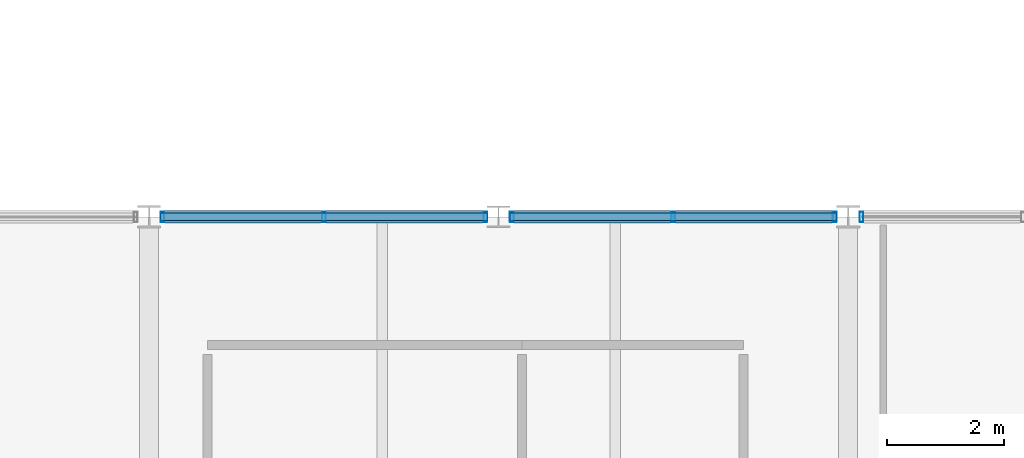
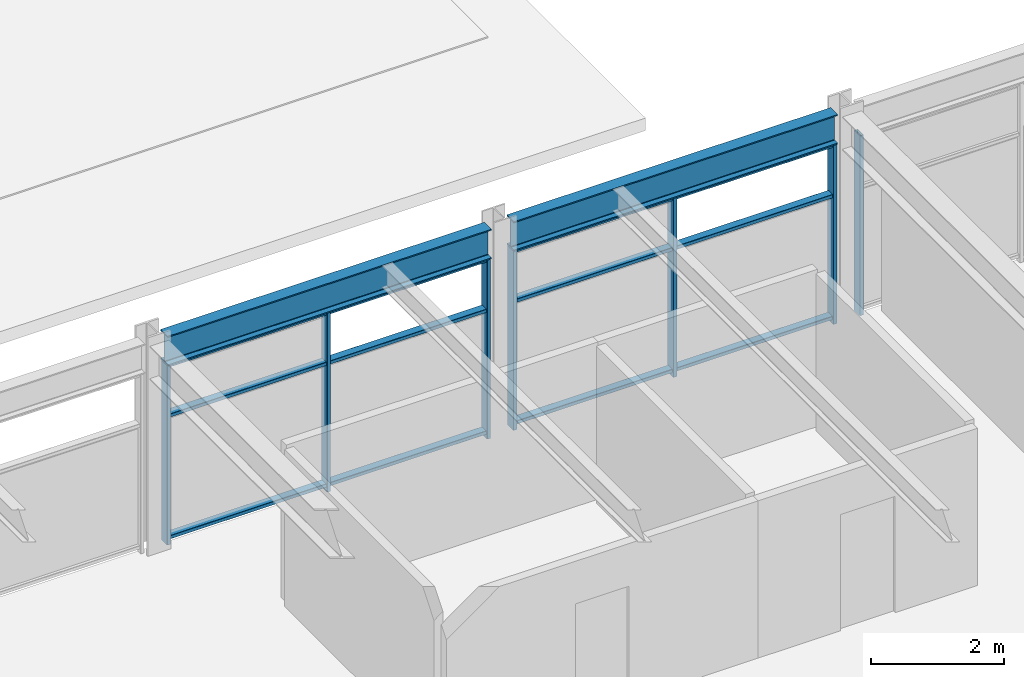
# One storey, part 24 of 49: 13 members, 2 beams, 3 elements without a shape of their own.
"""IFC4 building model written with IfcOpenShell, lengths in metres."""

from ifc_helpers import new_model, si_unit, direction, frame, origin, origin_2d, place, context, subcontext, project, spatial, hollow_rectangle, i_section, extrude, material, material_profile, profile_set, type_object, element, aggregate, save


model = new_model("IFC4")

# Units and contexts
model_context = context("Model", 3, precision=1e-05, world=origin(), true_north=direction((0.0, 1.0)))
body_context = subcontext(model_context, "Body", "Model", "MODEL_VIEW")
ifc_project = project(units=[si_unit("LENGTHUNIT", "METRE"), si_unit("AREAUNIT", "SQUARE_METRE"), si_unit("VOLUMEUNIT", "CUBIC_METRE"), si_unit("PLANEANGLEUNIT", "RADIAN"), si_unit("MASSUNIT", "GRAM", prefix="KILO")], contexts=[model_context])

# Site, building, storey
site_placement = place(None, origin())
site = spatial("IfcSite", under=ifc_project, at=site_placement, CompositionType="ELEMENT")
building_placement = place(site_placement, origin())
building = spatial("IfcBuilding", under=site, at=building_placement, Name="Girod Span Mobility Hub", CompositionType="ELEMENT")
storey_placement = place(building_placement, frame((0.0, 0.0, 37.60009765625)))
storey = spatial("IfcBuildingStorey", under=building, at=storey_placement, Name="L09", CompositionType="ELEMENT", Elevation=37.60009765625)

# Beams
ifc_material_1 = material(Name="Steel A992 Grade 50", Category="steel")
ifc_material_profile_1 = material_profile(ifc_material_1, i_section(OverallWidth=0.2119140625, OverallDepth=0.5439453125, WebThickness=0.01318359375, FlangeThickness=0.021240234375, FilletRadius=0.014892578125, at=origin_2d()), Name="W21X83")
ifc_profile_set_1 = profile_set([ifc_material_profile_1], Name="Steel A992 Grade 50")
beam_type = type_object("IfcBeamType", Name="BM-STL-W21X83", PredefinedType="SPANDREL", material=ifc_profile_set_1)
for number, where, z_axis, x_axis, name in (
    (1, (72.196533203125, 69.0, 3.56298828125), (1.0, 0.0, 0.0), (0.0, 1.0, 0.0), "Spandrel Beam 7-8/F-W L09"),
    (2, (78.194091796875, 69.0, 3.56298828125), (1.0, 0.0, 0.0), (0.0, 1.0, 0.0), "Spandrel Beam 7-8/F-E L09"),
):
    element("IfcBeam", number, at=place(storey_placement, frame(where, z_axis=z_axis, x_axis=x_axis)), inside=storey, type_object=beam_type, Name=name, PredefinedType="SPANDREL", context=body_context, shape_type="SweptSolid", body=[
        extrude(i_section(OverallWidth=0.2119140625, OverallDepth=0.5439453125, WebThickness=0.01318359375, FlangeThickness=0.021240234375, FilletRadius=0.014892578125, at=origin_2d()), origin(), (0.0, 0.0, 1.0), 5.609375),
    ])

# Curtain wall, members
ifc_material_2 = material(Name="Thermally Broken Anodised Aluminium", Category="aluminium")
curtain_wall_type = type_object("IfcCurtainWallType", Name="CW-561X329", PredefinedType="USERDEFINED", material=ifc_material_2)
curtain_wall_1_placement = place(storey_placement, origin())
curtain_wall_1 = element("IfcCurtainWall", 3, at=curtain_wall_1_placement, inside=storey, type_object=curtain_wall_type, Name="Unitised Curtain Wall CW-L09-N07W L09", ObjectType="UNITISED CURTAIN WALL", PredefinedType="USERDEFINED")
ifc_material_3 = material(Name="Thermally Broken Anodised Aluminium", Category="aluminium")
ifc_material_profile_2 = material_profile(ifc_material_3, hollow_rectangle(XDim=0.179931640625, YDim=0.06494140625, WallThickness=0.00390625, InnerFilletRadius=0.00390625, OuterFilletRadius=0.008056640625, at=origin_2d()), Name="CW-ML-65X180")
ifc_profile_set_2 = profile_set([ifc_material_profile_2], Name="Thermally Broken Anodised Aluminium")
member_type_1 = type_object("IfcMemberType", Name="CWM-ML-2", PredefinedType="MULLION", material=ifc_profile_set_2)
member_1_placement = place(storey_placement, frame((72.2294921875, 69.0, 0.0), z_axis=(0.0, 0.0, 1.0), x_axis=(0.0, 1.0, 0.0)))
member_1 = element("IfcMember", 4, at=member_1_placement, type_object=member_type_1, Name="Curtain Wall Mullion CW-L09-N07W-M0", PredefinedType="MULLION", context=body_context, shape_type="SweptSolid", body=[
    extrude(hollow_rectangle(XDim=0.179931640625, YDim=0.06494140625, WallThickness=0.00390625, InnerFilletRadius=0.00390625, OuterFilletRadius=0.008056640625, at=origin_2d()), origin(), (0.0, 0.0, 1.0), 3.291015625),
])
member_2_placement = place(storey_placement, frame((75.001220703125, 69.0, 0.0), z_axis=(0.0, 0.0, 1.0), x_axis=(0.0, 1.0, 0.0)))
member_2 = element("IfcMember", 5, at=member_2_placement, type_object=member_type_1, Name="Curtain Wall Mullion CW-L09-N07W-M1", PredefinedType="MULLION", context=body_context, shape_type="SweptSolid", body=[
    extrude(hollow_rectangle(XDim=0.179931640625, YDim=0.06494140625, WallThickness=0.00390625, InnerFilletRadius=0.00390625, OuterFilletRadius=0.008056640625, at=origin_2d()), origin(), (0.0, 0.0, 1.0), 3.291015625),
])
member_3_placement = place(storey_placement, frame((77.77294921875, 69.0, 0.0), z_axis=(0.0, 0.0, 1.0), x_axis=(0.0, 1.0, 0.0)))
member_3 = element("IfcMember", 6, at=member_3_placement, type_object=member_type_1, Name="Curtain Wall Mullion CW-L09-N07W-M2", PredefinedType="MULLION", context=body_context, shape_type="SweptSolid", body=[
    extrude(hollow_rectangle(XDim=0.179931640625, YDim=0.06494140625, WallThickness=0.00390625, InnerFilletRadius=0.00390625, OuterFilletRadius=0.008056640625, at=origin_2d()), origin(), (0.0, 0.0, 1.0), 3.291015625),
])

curtain_wall_2_placement = place(storey_placement, origin())
curtain_wall_2 = element("IfcCurtainWall", 7, at=curtain_wall_2_placement, inside=storey, type_object=curtain_wall_type, Name="Unitised Curtain Wall CW-L09-N07E L09", ObjectType="UNITISED CURTAIN WALL", PredefinedType="USERDEFINED")
member_4_placement = place(storey_placement, frame((78.22705078125, 69.0, 0.0), z_axis=(0.0, 0.0, 1.0), x_axis=(0.0, 1.0, 0.0)))
member_4 = element("IfcMember", 8, at=member_4_placement, type_object=member_type_1, Name="Curtain Wall Mullion CW-L09-N07E-M0", PredefinedType="MULLION", context=body_context, shape_type="SweptSolid", body=[
    extrude(hollow_rectangle(XDim=0.179931640625, YDim=0.06494140625, WallThickness=0.00390625, InnerFilletRadius=0.00390625, OuterFilletRadius=0.008056640625, at=origin_2d()), origin(), (0.0, 0.0, 1.0), 3.291015625),
])
member_5_placement = place(storey_placement, frame((80.998779296875, 69.0, 0.0), z_axis=(0.0, 0.0, 1.0), x_axis=(0.0, 1.0, 0.0)))
member_5 = element("IfcMember", 9, at=member_5_placement, type_object=member_type_1, Name="Curtain Wall Mullion CW-L09-N07E-M1", PredefinedType="MULLION", context=body_context, shape_type="SweptSolid", body=[
    extrude(hollow_rectangle(XDim=0.179931640625, YDim=0.06494140625, WallThickness=0.00390625, InnerFilletRadius=0.00390625, OuterFilletRadius=0.008056640625, at=origin_2d()), origin(), (0.0, 0.0, 1.0), 3.291015625),
])
member_6_placement = place(storey_placement, frame((83.7705078125, 69.0, 0.0), z_axis=(0.0, 0.0, 1.0), x_axis=(0.0, 1.0, 0.0)))
member_6 = element("IfcMember", 10, at=member_6_placement, type_object=member_type_1, Name="Curtain Wall Mullion CW-L09-N07E-M2", PredefinedType="MULLION", context=body_context, shape_type="SweptSolid", body=[
    extrude(hollow_rectangle(XDim=0.179931640625, YDim=0.06494140625, WallThickness=0.00390625, InnerFilletRadius=0.00390625, OuterFilletRadius=0.008056640625, at=origin_2d()), origin(), (0.0, 0.0, 1.0), 3.291015625),
])

# Curtain wall, member
curtain_wall_3_placement = place(storey_placement, origin())
curtain_wall_3 = element("IfcCurtainWall", 11, at=curtain_wall_3_placement, inside=storey, type_object=curtain_wall_type, Name="Unitised Curtain Wall CW-L09-N08W L09", ObjectType="UNITISED CURTAIN WALL", PredefinedType="USERDEFINED")
member_7_placement = place(storey_placement, frame((84.2294921875, 69.0, 0.0), z_axis=(0.0, 0.0, 1.0), x_axis=(0.0, 1.0, 0.0)))
member_7 = element("IfcMember", 12, at=member_7_placement, type_object=member_type_1, Name="Curtain Wall Mullion CW-L09-N08W-M0", PredefinedType="MULLION", context=body_context, shape_type="SweptSolid", body=[
    extrude(hollow_rectangle(XDim=0.179931640625, YDim=0.06494140625, WallThickness=0.00390625, InnerFilletRadius=0.00390625, OuterFilletRadius=0.008056640625, at=origin_2d()), origin(), (0.0, 0.0, 1.0), 3.291015625),
])
aggregate(curtain_wall_3, [member_7])

# Member
ifc_material_4 = material(Name="Thermally Broken Anodised Aluminium", Category="aluminium")
ifc_material_profile_3 = material_profile(ifc_material_4, hollow_rectangle(XDim=0.135009765625, YDim=0.06494140625, WallThickness=0.00390625, InnerFilletRadius=0.00390625, OuterFilletRadius=0.008056640625, at=origin_2d()), Name="CW-TR-65X135")
ifc_profile_set_3 = profile_set([ifc_material_profile_3], Name="Thermally Broken Anodised Aluminium")
member_type_2 = type_object("IfcMemberType", Name="CWM-TR-2", PredefinedType="USERDEFINED", material=ifc_profile_set_3)
member_8_placement = place(storey_placement, frame((72.197509765625, 69.0, 0.107421875), z_axis=(1.0, 0.0, 0.0), x_axis=(0.0, 1.0, 0.0)))
member_8 = element("IfcMember", 13, at=member_8_placement, type_object=member_type_2, Name="Curtain Wall Transom CW-L09-N07W-T1", ObjectType="TRANSOM", PredefinedType="USERDEFINED", context=body_context, shape_type="SweptSolid", body=[
    extrude(hollow_rectangle(XDim=0.135009765625, YDim=0.06494140625, WallThickness=0.00390625, InnerFilletRadius=0.00390625, OuterFilletRadius=0.008056640625, at=origin_2d()), origin(), (0.0, 0.0, 1.0), 5.607421875),
])

member_9_placement = place(storey_placement, frame((72.197509765625, 69.0, 2.3369140625), z_axis=(1.0, 0.0, 0.0), x_axis=(0.0, 1.0, 0.0)))
member_9 = element("IfcMember", 14, at=member_9_placement, type_object=member_type_2, Name="Curtain Wall Transom CW-L09-N07W-T2", ObjectType="TRANSOM", PredefinedType="USERDEFINED", context=body_context, shape_type="SweptSolid", body=[
    extrude(hollow_rectangle(XDim=0.135009765625, YDim=0.06494140625, WallThickness=0.00390625, InnerFilletRadius=0.00390625, OuterFilletRadius=0.008056640625, at=origin_2d()), origin(), (0.0, 0.0, 1.0), 5.607421875),
])

member_10_placement = place(storey_placement, frame((72.197509765625, 69.0, 3.25830078125), z_axis=(1.0, 0.0, 0.0), x_axis=(0.0, 1.0, 0.0)))
member_10 = element("IfcMember", 15, at=member_10_placement, type_object=member_type_2, Name="Curtain Wall Transom CW-L09-N07W-T3", ObjectType="TRANSOM", PredefinedType="USERDEFINED", context=body_context, shape_type="SweptSolid", body=[
    extrude(hollow_rectangle(XDim=0.135009765625, YDim=0.06494140625, WallThickness=0.00390625, InnerFilletRadius=0.00390625, OuterFilletRadius=0.008056640625, at=origin_2d()), origin(), (0.0, 0.0, 1.0), 5.607421875),
])

aggregate(curtain_wall_1, [member_1, member_2, member_3, member_8, member_9, member_10])

member_11_placement = place(storey_placement, frame((78.195068359375, 69.0, 0.107421875), z_axis=(1.0, 0.0, 0.0), x_axis=(0.0, 1.0, 0.0)))
member_11 = element("IfcMember", 16, at=member_11_placement, type_object=member_type_2, Name="Curtain Wall Transom CW-L09-N07E-T1", ObjectType="TRANSOM", PredefinedType="USERDEFINED", context=body_context, shape_type="SweptSolid", body=[
    extrude(hollow_rectangle(XDim=0.135009765625, YDim=0.06494140625, WallThickness=0.00390625, InnerFilletRadius=0.00390625, OuterFilletRadius=0.008056640625, at=origin_2d()), origin(), (0.0, 0.0, 1.0), 5.607421875),
])

member_12_placement = place(storey_placement, frame((78.195068359375, 69.0, 2.3369140625), z_axis=(1.0, 0.0, 0.0), x_axis=(0.0, 1.0, 0.0)))
member_12 = element("IfcMember", 17, at=member_12_placement, type_object=member_type_2, Name="Curtain Wall Transom CW-L09-N07E-T2", ObjectType="TRANSOM", PredefinedType="USERDEFINED", context=body_context, shape_type="SweptSolid", body=[
    extrude(hollow_rectangle(XDim=0.135009765625, YDim=0.06494140625, WallThickness=0.00390625, InnerFilletRadius=0.00390625, OuterFilletRadius=0.008056640625, at=origin_2d()), origin(), (0.0, 0.0, 1.0), 5.607421875),
])

member_13_placement = place(storey_placement, frame((78.195068359375, 69.0, 3.25830078125), z_axis=(1.0, 0.0, 0.0), x_axis=(0.0, 1.0, 0.0)))
member_13 = element("IfcMember", 18, at=member_13_placement, type_object=member_type_2, Name="Curtain Wall Transom CW-L09-N07E-T3", ObjectType="TRANSOM", PredefinedType="USERDEFINED", context=body_context, shape_type="SweptSolid", body=[
    extrude(hollow_rectangle(XDim=0.135009765625, YDim=0.06494140625, WallThickness=0.00390625, InnerFilletRadius=0.00390625, OuterFilletRadius=0.008056640625, at=origin_2d()), origin(), (0.0, 0.0, 1.0), 5.607421875),
])

aggregate(curtain_wall_2, [member_4, member_5, member_6, member_11, member_12, member_13])

save(model, "model.ifc")
